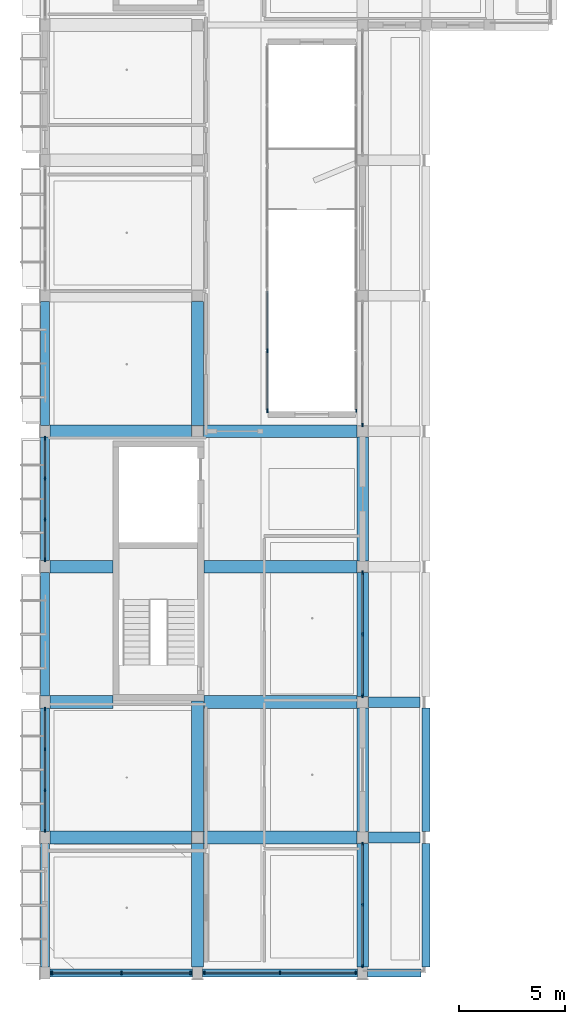
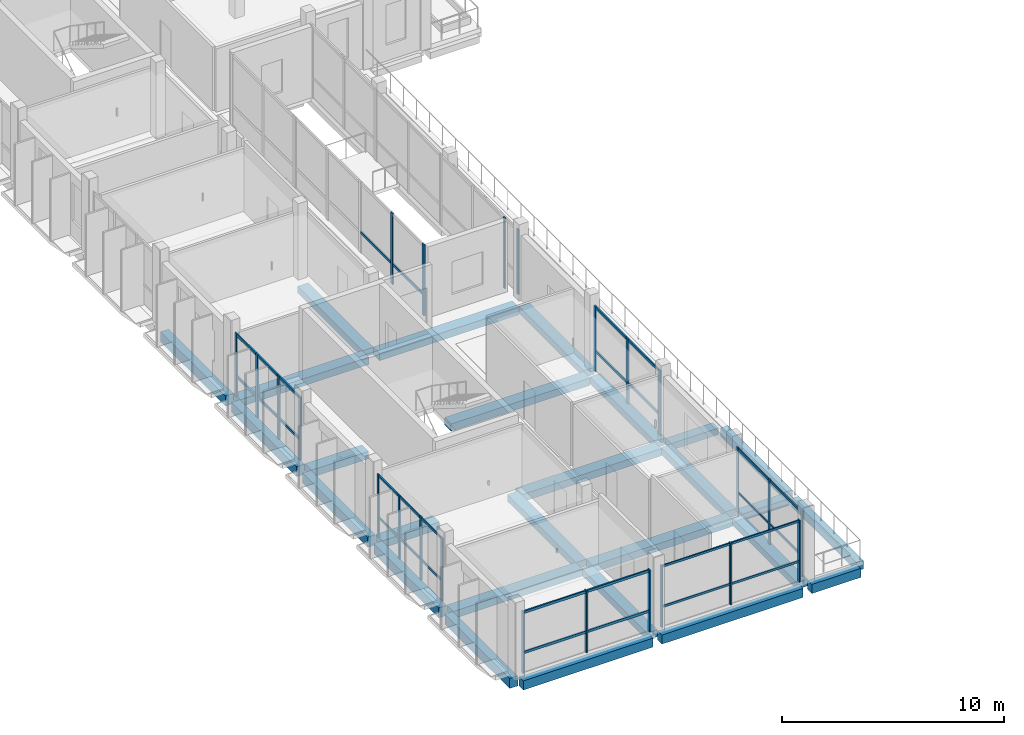
# One storey, part 7 of 85: 37 members, 27 beams, 9 elements without a shape of their own.
"""IFC4 building model written with IfcOpenShell, lengths in metres."""

from ifc_helpers import new_model, si_unit, derived_unit, direction, frame, origin, origin_2d, place, context, subcontext, project, spatial, rectangle, extrude, material, material_profile, profile_set, type_object, element, aggregate, save


model = new_model("IFC4")

# Units and contexts
model_context = context("Model", 3, precision=1e-05, world=origin(), true_north=direction((0.0, 1.0)))
body_context = subcontext(model_context, "Body", "Model", "MODEL_VIEW")
ifc_project = project(units=[si_unit("LENGTHUNIT", "METRE"), si_unit("AREAUNIT", "SQUARE_METRE"), si_unit("VOLUMEUNIT", "CUBIC_METRE"), si_unit("PLANEANGLEUNIT", "RADIAN"), si_unit("MASSUNIT", "GRAM", prefix="KILO"), derived_unit("THERMALTRANSMITTANCEUNIT", [(si_unit("POWERUNIT", "WATT"), 1), (si_unit("LENGTHUNIT", "METRE"), -2), (si_unit("THERMODYNAMICTEMPERATUREUNIT", "KELVIN"), -1)])], contexts=[model_context])

# Site, building, storey
site_placement = place(None, origin())
site = spatial("IfcSite", under=ifc_project, at=site_placement, CompositionType="ELEMENT")
building_placement = place(site_placement, origin())
building = spatial("IfcBuilding", under=site, at=building_placement, Name="Braskholm Square Health Centre", CompositionType="ELEMENT")
storey_placement = place(building_placement, frame((0.0, 0.0, 9.300048828125)))
storey = spatial("IfcBuildingStorey", under=building, at=storey_placement, Name="L03", CompositionType="ELEMENT", Elevation=9.300048828125)

# Curtain wall, members
ifc_material_1 = material(Name="Low-E triple insulating glass (VLT 0.64)", Category="glass")
curtain_wall_type_1 = type_object("IfcCurtainWallType", Name="UnitisedCurtainWall6200x3650", PredefinedType="NOTDEFINED", material=ifc_material_1)
curtain_wall_1_placement = place(storey_placement, origin())
curtain_wall_1 = element("IfcCurtainWall", 1, at=curtain_wall_1_placement, inside=storey, type_object=curtain_wall_type_1, Name="West Outer unitised curtain wall CW-L03-0014", PredefinedType="NOTDEFINED")
ifc_material_2 = material(Name="Architectural bronze anodised aluminium", Category="aluminium")
ifc_material_profile_1 = material_profile(ifc_material_2, rectangle(XDim=0.06494140625, YDim=0.14990234375, at=origin_2d()), Name="ALU-65X150")
ifc_profile_set_1 = profile_set([ifc_material_profile_1], Name="Architectural bronze anodised aluminium")
member_type_1 = type_object("IfcMemberType", Name="CurtainWallMullion65x150", PredefinedType="MULLION", material=ifc_profile_set_1)
member_1_placement = place(storey_placement, frame((4.199951171875, 16.675048828125, 0.0), z_axis=(0.0, 0.0, 1.0), x_axis=(1.0, 0.0, 0.0)))
member_1 = element("IfcMember", 2, at=member_1_placement, type_object=member_type_1, Name="CW-L03-0014 vertical mullion 1", PredefinedType="MULLION", context=body_context, shape_type="SweptSolid", body=[
    extrude(rectangle(XDim=0.06494140625, YDim=0.14990234375, at=origin_2d()), origin(), (0.0, 0.0, 1.0), 3.47998046875),
])
member_2_placement = place(storey_placement, frame((4.199951171875, 14.77001953125, 0.0), z_axis=(0.0, 0.0, 1.0), x_axis=(1.0, 0.0, 0.0)))
member_2 = element("IfcMember", 3, at=member_2_placement, type_object=member_type_1, Name="CW-L03-0014 vertical mullion 2", PredefinedType="MULLION", context=body_context, shape_type="SweptSolid", body=[
    extrude(rectangle(XDim=0.06494140625, YDim=0.14990234375, at=origin_2d()), origin(), (0.0, 0.0, 1.0), 3.47998046875),
])
member_3_placement = place(storey_placement, frame((4.199951171875, 12.830078125, 0.0), z_axis=(0.0, 0.0, 1.0), x_axis=(1.0, 0.0, 0.0)))
member_3 = element("IfcMember", 4, at=member_3_placement, type_object=member_type_1, Name="CW-L03-0014 vertical mullion 3", PredefinedType="MULLION", context=body_context, shape_type="SweptSolid", body=[
    extrude(rectangle(XDim=0.06494140625, YDim=0.14990234375, at=origin_2d()), origin(), (0.0, 0.0, 1.0), 3.47998046875),
])
member_4_placement = place(storey_placement, frame((4.199951171875, 10.9248046875, 0.0), z_axis=(0.0, 0.0, 1.0), x_axis=(1.0, 0.0, 0.0)))
member_4 = element("IfcMember", 5, at=member_4_placement, type_object=member_type_1, Name="CW-L03-0014 vertical mullion 4", PredefinedType="MULLION", context=body_context, shape_type="SweptSolid", body=[
    extrude(rectangle(XDim=0.06494140625, YDim=0.14990234375, at=origin_2d()), origin(), (0.0, 0.0, 1.0), 3.47998046875),
])

curtain_wall_2_placement = place(storey_placement, origin())
curtain_wall_2 = element("IfcCurtainWall", 6, at=curtain_wall_2_placement, inside=storey, type_object=curtain_wall_type_1, Name="West Valley unitised curtain wall CW-L03-0090", PredefinedType="NOTDEFINED")
member_5_placement = place(storey_placement, frame((19.199951171875, 4.525146484375, 0.0), z_axis=(0.0, 0.0, 1.0), x_axis=(1.0, 0.0, 0.0)))
member_5 = element("IfcMember", 7, at=member_5_placement, type_object=member_type_1, Name="CW-L03-0090 vertical mullion 1", PredefinedType="MULLION", context=body_context, shape_type="SweptSolid", body=[
    extrude(rectangle(XDim=0.06494140625, YDim=0.14990234375, at=origin_2d()), origin(), (0.0, 0.0, 1.0), 3.570068359375),
])
member_6_placement = place(storey_placement, frame((19.199951171875, 7.4150390625, 0.0), z_axis=(0.0, 0.0, 1.0), x_axis=(1.0, 0.0, 0.0)))
member_6 = element("IfcMember", 8, at=member_6_placement, type_object=member_type_1, Name="CW-L03-0090 vertical mullion 2", PredefinedType="MULLION", context=body_context, shape_type="SweptSolid", body=[
    extrude(rectangle(XDim=0.06494140625, YDim=0.14990234375, at=origin_2d()), origin(), (0.0, 0.0, 1.0), 3.570068359375),
])
member_7_placement = place(storey_placement, frame((19.199951171875, 10.304931640625, 0.0), z_axis=(0.0, 0.0, 1.0), x_axis=(1.0, 0.0, 0.0)))
member_7 = element("IfcMember", 9, at=member_7_placement, type_object=member_type_1, Name="CW-L03-0090 vertical mullion 3", PredefinedType="MULLION", context=body_context, shape_type="SweptSolid", body=[
    extrude(rectangle(XDim=0.06494140625, YDim=0.14990234375, at=origin_2d()), origin(), (0.0, 0.0, 1.0), 3.570068359375),
])

# Curtain wall, member
curtain_wall_3_placement = place(storey_placement, origin())
curtain_wall_3 = element("IfcCurtainWall", 10, at=curtain_wall_3_placement, inside=storey, type_object=curtain_wall_type_1, Name="West Valley unitised curtain wall CW-L03-0092", PredefinedType="NOTDEFINED")
member_8_placement = place(storey_placement, frame((19.199951171875, 30.09521484375, 0.0), z_axis=(0.0, 0.0, 1.0), x_axis=(1.0, 0.0, 0.0)))
member_8 = element("IfcMember", 11, at=member_8_placement, type_object=member_type_1, Name="CW-L03-0092 vertical mullion 1", PredefinedType="MULLION", context=body_context, shape_type="SweptSolid", body=[
    extrude(rectangle(XDim=0.06494140625, YDim=0.14990234375, at=origin_2d()), origin(), (0.0, 0.0, 1.0), 3.570068359375),
])
aggregate(curtain_wall_3, [member_8])

# Curtain wall, members
curtain_wall_4_placement = place(storey_placement, origin())
curtain_wall_4 = element("IfcCurtainWall", 12, at=curtain_wall_4_placement, inside=storey, type_object=curtain_wall_type_1, Name="Wing End unitised curtain wall CW-L03-0148", PredefinedType="NOTDEFINED")
member_9_placement = place(storey_placement, frame((11.723388671875, 4.199951171875, 0.0), z_axis=(0.0, 0.0, 1.0), x_axis=(1.0, 0.0, 0.0)))
member_9 = element("IfcMember", 13, at=member_9_placement, type_object=member_type_1, Name="CW-L03-0148 vertical mullion 1", PredefinedType="MULLION", context=body_context, shape_type="SweptSolid", body=[
    extrude(rectangle(XDim=0.06494140625, YDim=0.14990234375, at=origin_2d()), origin(), (0.0, 0.0, 1.0), 3.39990234375),
])
member_10_placement = place(storey_placement, frame((15.300048828125, 4.199951171875, 0.0), z_axis=(0.0, 0.0, 1.0), x_axis=(1.0, 0.0, 0.0)))
member_10 = element("IfcMember", 14, at=member_10_placement, type_object=member_type_1, Name="CW-L03-0148 vertical mullion 2", PredefinedType="MULLION", context=body_context, shape_type="SweptSolid", body=[
    extrude(rectangle(XDim=0.06494140625, YDim=0.14990234375, at=origin_2d()), origin(), (0.0, 0.0, 1.0), 3.39990234375),
])
member_11_placement = place(storey_placement, frame((18.876708984375, 4.199951171875, 0.0), z_axis=(0.0, 0.0, 1.0), x_axis=(1.0, 0.0, 0.0)))
member_11 = element("IfcMember", 15, at=member_11_placement, type_object=member_type_1, Name="CW-L03-0148 vertical mullion 3", PredefinedType="MULLION", context=body_context, shape_type="SweptSolid", body=[
    extrude(rectangle(XDim=0.06494140625, YDim=0.14990234375, at=origin_2d()), origin(), (0.0, 0.0, 1.0), 3.39990234375),
])

# Curtain wall, member
curtain_wall_type_2 = type_object("IfcCurtainWallType", Name="UnitisedCurtainWall5400x3800", PredefinedType="NOTDEFINED", material=ifc_material_1)
curtain_wall_5_placement = place(storey_placement, origin())
curtain_wall_5 = element("IfcCurtainWall", 16, at=curtain_wall_5_placement, inside=storey, type_object=curtain_wall_type_2, Name="WC1 Court E unitised curtain wall CW-L03-0262", PredefinedType="NOTDEFINED")
member_12_placement = place(storey_placement, frame((18.89990234375, 30.7744140625, 0.0), z_axis=(0.0, 0.0, 1.0), x_axis=(1.0, 0.0, 0.0)))
member_12 = element("IfcMember", 17, at=member_12_placement, type_object=member_type_1, Name="CW-L03-0262 vertical mullion 3", PredefinedType="MULLION", context=body_context, shape_type="SweptSolid", body=[
    extrude(rectangle(XDim=0.06494140625, YDim=0.14990234375, at=origin_2d()), origin(), (0.0, 0.0, 1.0), 3.89990234375),
])
aggregate(curtain_wall_5, [member_12])

# Curtain wall, members
curtain_wall_6_placement = place(storey_placement, origin())
curtain_wall_6 = element("IfcCurtainWall", 18, at=curtain_wall_6_placement, inside=storey, type_object=curtain_wall_type_1, Name="West Outer unitised curtain wall CW-L03-0015", PredefinedType="NOTDEFINED")
ifc_material_profile_2 = material_profile(ifc_material_2, rectangle(XDim=0.074951171875, YDim=0.179931640625, at=origin_2d()), Name="ALU-75X180")
ifc_profile_set_2 = profile_set([ifc_material_profile_2], Name="Architectural bronze anodised aluminium")
member_type_2 = type_object("IfcMemberType", Name="CurtainWallMullion75x180", PredefinedType="MULLION", material=ifc_profile_set_2)
member_13_placement = place(storey_placement, frame((4.199951171875, 29.47509765625, 0.0), z_axis=(0.0, 0.0, 1.0), x_axis=(1.0, 0.0, 0.0)))
member_13 = element("IfcMember", 19, at=member_13_placement, type_object=member_type_2, Name="CW-L03-0015 vertical mullion 1", PredefinedType="MULLION", context=body_context, shape_type="SweptSolid", body=[
    extrude(rectangle(XDim=0.074951171875, YDim=0.179931640625, at=origin_2d()), origin(), (0.0, 0.0, 1.0), 3.47998046875),
])
member_14_placement = place(storey_placement, frame((4.199951171875, 27.570068359375, 0.0), z_axis=(0.0, 0.0, 1.0), x_axis=(1.0, 0.0, 0.0)))
member_14 = element("IfcMember", 20, at=member_14_placement, type_object=member_type_2, Name="CW-L03-0015 vertical mullion 2", PredefinedType="MULLION", context=body_context, shape_type="SweptSolid", body=[
    extrude(rectangle(XDim=0.074951171875, YDim=0.179931640625, at=origin_2d()), origin(), (0.0, 0.0, 1.0), 3.47998046875),
])
member_15_placement = place(storey_placement, frame((4.199951171875, 25.6298828125, 0.0), z_axis=(0.0, 0.0, 1.0), x_axis=(1.0, 0.0, 0.0)))
member_15 = element("IfcMember", 21, at=member_15_placement, type_object=member_type_2, Name="CW-L03-0015 vertical mullion 3", PredefinedType="MULLION", context=body_context, shape_type="SweptSolid", body=[
    extrude(rectangle(XDim=0.074951171875, YDim=0.179931640625, at=origin_2d()), origin(), (0.0, 0.0, 1.0), 3.47998046875),
])
member_16_placement = place(storey_placement, frame((4.199951171875, 23.724853515625, 0.0), z_axis=(0.0, 0.0, 1.0), x_axis=(1.0, 0.0, 0.0)))
member_16 = element("IfcMember", 22, at=member_16_placement, type_object=member_type_2, Name="CW-L03-0015 vertical mullion 4", PredefinedType="MULLION", context=body_context, shape_type="SweptSolid", body=[
    extrude(rectangle(XDim=0.074951171875, YDim=0.179931640625, at=origin_2d()), origin(), (0.0, 0.0, 1.0), 3.47998046875),
])

curtain_wall_7_placement = place(storey_placement, origin())
curtain_wall_7 = element("IfcCurtainWall", 23, at=curtain_wall_7_placement, inside=storey, type_object=curtain_wall_type_1, Name="West Valley unitised curtain wall CW-L03-0091", PredefinedType="NOTDEFINED")
member_17_placement = place(storey_placement, frame((19.199951171875, 17.29541015625, 0.0), z_axis=(0.0, 0.0, 1.0), x_axis=(1.0, 0.0, 0.0)))
member_17 = element("IfcMember", 24, at=member_17_placement, type_object=member_type_2, Name="CW-L03-0091 vertical mullion 1", PredefinedType="MULLION", context=body_context, shape_type="SweptSolid", body=[
    extrude(rectangle(XDim=0.074951171875, YDim=0.179931640625, at=origin_2d()), origin(), (0.0, 0.0, 1.0), 3.570068359375),
])
member_18_placement = place(storey_placement, frame((19.199951171875, 20.199951171875, 0.0), z_axis=(0.0, 0.0, 1.0), x_axis=(1.0, 0.0, 0.0)))
member_18 = element("IfcMember", 25, at=member_18_placement, type_object=member_type_2, Name="CW-L03-0091 vertical mullion 2", PredefinedType="MULLION", context=body_context, shape_type="SweptSolid", body=[
    extrude(rectangle(XDim=0.074951171875, YDim=0.179931640625, at=origin_2d()), origin(), (0.0, 0.0, 1.0), 3.570068359375),
])
member_19_placement = place(storey_placement, frame((19.199951171875, 23.104736328125, 0.0), z_axis=(0.0, 0.0, 1.0), x_axis=(1.0, 0.0, 0.0)))
member_19 = element("IfcMember", 26, at=member_19_placement, type_object=member_type_2, Name="CW-L03-0091 vertical mullion 3", PredefinedType="MULLION", context=body_context, shape_type="SweptSolid", body=[
    extrude(rectangle(XDim=0.074951171875, YDim=0.179931640625, at=origin_2d()), origin(), (0.0, 0.0, 1.0), 3.570068359375),
])

curtain_wall_8_placement = place(storey_placement, origin())
curtain_wall_8 = element("IfcCurtainWall", 27, at=curtain_wall_8_placement, inside=storey, type_object=curtain_wall_type_1, Name="Wing End unitised curtain wall CW-L03-0147", PredefinedType="NOTDEFINED")
member_20_placement = place(storey_placement, frame((4.519775390625, 4.199951171875, 0.0), z_axis=(0.0, 0.0, 1.0), x_axis=(1.0, 0.0, 0.0)))
member_20 = element("IfcMember", 28, at=member_20_placement, type_object=member_type_2, Name="CW-L03-0147 vertical mullion 1", PredefinedType="MULLION", context=body_context, shape_type="SweptSolid", body=[
    extrude(rectangle(XDim=0.074951171875, YDim=0.179931640625, at=origin_2d()), origin(), (0.0, 0.0, 1.0), 3.39990234375),
])
member_21_placement = place(storey_placement, frame((7.800048828125, 4.199951171875, 0.0), z_axis=(0.0, 0.0, 1.0), x_axis=(1.0, 0.0, 0.0)))
member_21 = element("IfcMember", 29, at=member_21_placement, type_object=member_type_2, Name="CW-L03-0147 vertical mullion 2", PredefinedType="MULLION", context=body_context, shape_type="SweptSolid", body=[
    extrude(rectangle(XDim=0.074951171875, YDim=0.179931640625, at=origin_2d()), origin(), (0.0, 0.0, 1.0), 3.39990234375),
])
member_22_placement = place(storey_placement, frame((11.080078125, 4.199951171875, 0.0), z_axis=(0.0, 0.0, 1.0), x_axis=(1.0, 0.0, 0.0)))
member_22 = element("IfcMember", 30, at=member_22_placement, type_object=member_type_2, Name="CW-L03-0147 vertical mullion 3", PredefinedType="MULLION", context=body_context, shape_type="SweptSolid", body=[
    extrude(rectangle(XDim=0.074951171875, YDim=0.179931640625, at=origin_2d()), origin(), (0.0, 0.0, 1.0), 3.39990234375),
])

curtain_wall_9_placement = place(storey_placement, origin())
curtain_wall_9 = element("IfcCurtainWall", 31, at=curtain_wall_9_placement, inside=storey, type_object=curtain_wall_type_2, Name="WC1 Court W unitised curtain wall CW-L03-0261", PredefinedType="NOTDEFINED")
member_23_placement = place(storey_placement, frame((14.699951171875, 30.7744140625, 0.0), z_axis=(0.0, 0.0, 1.0), x_axis=(1.0, 0.0, 0.0)))
member_23 = element("IfcMember", 32, at=member_23_placement, type_object=member_type_2, Name="CW-L03-0261 vertical mullion 1", PredefinedType="MULLION", context=body_context, shape_type="SweptSolid", body=[
    extrude(rectangle(XDim=0.074951171875, YDim=0.179931640625, at=origin_2d()), origin(), (0.0, 0.0, 1.0), 3.89990234375),
])
member_24_placement = place(storey_placement, frame((14.699951171875, 33.60107421875, 0.0), z_axis=(0.0, 0.0, 1.0), x_axis=(1.0, 0.0, 0.0)))
member_24 = element("IfcMember", 33, at=member_24_placement, type_object=member_type_2, Name="CW-L03-0261 vertical mullion 2", PredefinedType="MULLION", context=body_context, shape_type="SweptSolid", body=[
    extrude(rectangle(XDim=0.074951171875, YDim=0.179931640625, at=origin_2d()), origin(), (0.0, 0.0, 1.0), 3.89990234375),
])

# Member
ifc_material_profile_3 = material_profile(ifc_material_2, rectangle(XDim=0.06494140625, YDim=0.1201171875, at=origin_2d()), Name="ALU-65X120")
ifc_profile_set_3 = profile_set([ifc_material_profile_3], Name="Architectural bronze anodised aluminium")
member_type_3 = type_object("IfcMemberType", Name="CurtainWallTransom65x120", PredefinedType="USERDEFINED", material=ifc_profile_set_3)
member_25_placement = place(storey_placement, frame((4.199951171875, 16.6650390625, 1.119873046875), z_axis=(0.0, -1.0, 0.0), x_axis=(1.0, 0.0, 0.0)))
member_25 = element("IfcMember", 34, at=member_25_placement, type_object=member_type_3, Name="CW-L03-0014 horizontal transom 1", ObjectType="TRANSOM", PredefinedType="USERDEFINED", context=body_context, shape_type="SweptSolid", body=[
    extrude(rectangle(XDim=0.06494140625, YDim=0.1201171875, at=origin_2d()), origin(), (0.0, 0.0, 1.0), 5.72998046875),
])

member_26_placement = place(storey_placement, frame((4.199951171875, 16.6650390625, 3.409912109375), z_axis=(0.0, -1.0, 0.0), x_axis=(1.0, 0.0, 0.0)))
member_26 = element("IfcMember", 35, at=member_26_placement, type_object=member_type_3, Name="CW-L03-0014 horizontal transom 2", ObjectType="TRANSOM", PredefinedType="USERDEFINED", context=body_context, shape_type="SweptSolid", body=[
    extrude(rectangle(XDim=0.06494140625, YDim=0.1201171875, at=origin_2d()), origin(), (0.0, 0.0, 1.0), 5.72998046875),
])

aggregate(curtain_wall_1, [member_1, member_2, member_3, member_4, member_25, member_26])

member_27_placement = place(storey_placement, frame((19.199951171875, 4.534912109375, 1.119873046875), z_axis=(0.0, 1.0, 0.0), x_axis=(-1.0, 0.0, 0.0)))
member_27 = element("IfcMember", 36, at=member_27_placement, type_object=member_type_3, Name="CW-L03-0090 horizontal transom 1", ObjectType="TRANSOM", PredefinedType="USERDEFINED", context=body_context, shape_type="SweptSolid", body=[
    extrude(rectangle(XDim=0.06494140625, YDim=0.1201171875, at=origin_2d()), origin(), (0.0, 0.0, 1.0), 5.760009765625),
])

member_28_placement = place(storey_placement, frame((19.199951171875, 4.534912109375, 3.5), z_axis=(0.0, 1.0, 0.0), x_axis=(-1.0, 0.0, 0.0)))
member_28 = element("IfcMember", 37, at=member_28_placement, type_object=member_type_3, Name="CW-L03-0090 horizontal transom 2", ObjectType="TRANSOM", PredefinedType="USERDEFINED", context=body_context, shape_type="SweptSolid", body=[
    extrude(rectangle(XDim=0.06494140625, YDim=0.1201171875, at=origin_2d()), origin(), (0.0, 0.0, 1.0), 5.760009765625),
])

aggregate(curtain_wall_2, [member_5, member_6, member_7, member_27, member_28])

member_29_placement = place(storey_placement, frame((11.72509765625, 4.199951171875, 1.119873046875), z_axis=(1.0, 0.0, 0.0), x_axis=(0.0, 1.0, 0.0)))
member_29 = element("IfcMember", 38, at=member_29_placement, type_object=member_type_3, Name="CW-L03-0148 horizontal transom 1", ObjectType="TRANSOM", PredefinedType="USERDEFINED", context=body_context, shape_type="SweptSolid", body=[
    extrude(rectangle(XDim=0.06494140625, YDim=0.1201171875, at=origin_2d()), origin(), (0.0, 0.0, 1.0), 7.14990234375),
])

member_30_placement = place(storey_placement, frame((11.72509765625, 4.199951171875, 3.329833984375), z_axis=(1.0, 0.0, 0.0), x_axis=(0.0, 1.0, 0.0)))
member_30 = element("IfcMember", 39, at=member_30_placement, type_object=member_type_3, Name="CW-L03-0148 horizontal transom 2", ObjectType="TRANSOM", PredefinedType="USERDEFINED", context=body_context, shape_type="SweptSolid", body=[
    extrude(rectangle(XDim=0.06494140625, YDim=0.1201171875, at=origin_2d()), origin(), (0.0, 0.0, 1.0), 7.14990234375),
])

aggregate(curtain_wall_4, [member_9, member_10, member_11, member_29, member_30])

ifc_material_profile_4 = material_profile(ifc_material_2, rectangle(XDim=0.074951171875, YDim=0.139892578125, at=origin_2d()), Name="ALU-75X140")
ifc_profile_set_4 = profile_set([ifc_material_profile_4], Name="Architectural bronze anodised aluminium")
member_type_4 = type_object("IfcMemberType", Name="CurtainWallTransom75x140", PredefinedType="USERDEFINED", material=ifc_profile_set_4)
member_31_placement = place(storey_placement, frame((4.199951171875, 29.465087890625, 1.119873046875), z_axis=(0.0, -1.0, 0.0), x_axis=(1.0, 0.0, 0.0)))
member_31 = element("IfcMember", 40, at=member_31_placement, type_object=member_type_4, Name="CW-L03-0015 horizontal transom 1", ObjectType="TRANSOM", PredefinedType="USERDEFINED", context=body_context, shape_type="SweptSolid", body=[
    extrude(rectangle(XDim=0.074951171875, YDim=0.139892578125, at=origin_2d()), origin(), (0.0, 0.0, 1.0), 5.72998046875),
])

member_32_placement = place(storey_placement, frame((4.199951171875, 29.465087890625, 3.409912109375), z_axis=(0.0, -1.0, 0.0), x_axis=(1.0, 0.0, 0.0)))
member_32 = element("IfcMember", 41, at=member_32_placement, type_object=member_type_4, Name="CW-L03-0015 horizontal transom 2", ObjectType="TRANSOM", PredefinedType="USERDEFINED", context=body_context, shape_type="SweptSolid", body=[
    extrude(rectangle(XDim=0.074951171875, YDim=0.139892578125, at=origin_2d()), origin(), (0.0, 0.0, 1.0), 5.72998046875),
])

aggregate(curtain_wall_6, [member_13, member_14, member_15, member_16, member_31, member_32])

member_33_placement = place(storey_placement, frame((19.199951171875, 17.304931640625, 1.119873046875), z_axis=(0.0, 1.0, 0.0), x_axis=(-1.0, 0.0, 0.0)))
member_33 = element("IfcMember", 42, at=member_33_placement, type_object=member_type_4, Name="CW-L03-0091 horizontal transom 1", ObjectType="TRANSOM", PredefinedType="USERDEFINED", context=body_context, shape_type="SweptSolid", body=[
    extrude(rectangle(XDim=0.074951171875, YDim=0.139892578125, at=origin_2d()), origin(), (0.0, 0.0, 1.0), 5.7900390625),
])

member_34_placement = place(storey_placement, frame((19.199951171875, 17.304931640625, 3.5), z_axis=(0.0, 1.0, 0.0), x_axis=(-1.0, 0.0, 0.0)))
member_34 = element("IfcMember", 43, at=member_34_placement, type_object=member_type_4, Name="CW-L03-0091 horizontal transom 2", ObjectType="TRANSOM", PredefinedType="USERDEFINED", context=body_context, shape_type="SweptSolid", body=[
    extrude(rectangle(XDim=0.074951171875, YDim=0.139892578125, at=origin_2d()), origin(), (0.0, 0.0, 1.0), 5.7900390625),
])

aggregate(curtain_wall_7, [member_17, member_18, member_19, member_33, member_34])

member_35_placement = place(storey_placement, frame((4.52490234375, 4.199951171875, 1.119873046875), z_axis=(1.0, 0.0, 0.0), x_axis=(0.0, 1.0, 0.0)))
member_35 = element("IfcMember", 44, at=member_35_placement, type_object=member_type_4, Name="CW-L03-0147 horizontal transom 1", ObjectType="TRANSOM", PredefinedType="USERDEFINED", context=body_context, shape_type="SweptSolid", body=[
    extrude(rectangle(XDim=0.074951171875, YDim=0.139892578125, at=origin_2d()), origin(), (0.0, 0.0, 1.0), 6.550048828125),
])

member_36_placement = place(storey_placement, frame((4.52490234375, 4.199951171875, 3.329833984375), z_axis=(1.0, 0.0, 0.0), x_axis=(0.0, 1.0, 0.0)))
member_36 = element("IfcMember", 45, at=member_36_placement, type_object=member_type_4, Name="CW-L03-0147 horizontal transom 2", ObjectType="TRANSOM", PredefinedType="USERDEFINED", context=body_context, shape_type="SweptSolid", body=[
    extrude(rectangle(XDim=0.074951171875, YDim=0.139892578125, at=origin_2d()), origin(), (0.0, 0.0, 1.0), 6.550048828125),
])

aggregate(curtain_wall_8, [member_20, member_21, member_22, member_35, member_36])

member_37_placement = place(storey_placement, frame((14.699951171875, 30.784912109375, 1.119873046875), z_axis=(0.0, 1.0, 0.0), x_axis=(-1.0, 0.0, 0.0)))
member_37 = element("IfcMember", 46, at=member_37_placement, type_object=member_type_4, Name="CW-L03-0261 horizontal transom 1", ObjectType="TRANSOM", PredefinedType="USERDEFINED", context=body_context, shape_type="SweptSolid", body=[
    extrude(rectangle(XDim=0.074951171875, YDim=0.139892578125, at=origin_2d()), origin(), (0.0, 0.0, 1.0), 5.632080078125),
])

aggregate(curtain_wall_9, [member_23, member_24, member_37])

# Beams
ifc_material_3 = material(Name="Concrete C35/45 (f'c = 35 MPa)", Category="concrete")
ifc_material_profile_5 = material_profile(ifc_material_3, rectangle(XDim=0.5, YDim=0.360107421875, at=origin_2d()), Name="RCB-500X360")
ifc_profile_set_5 = profile_set([ifc_material_profile_5], Name="Concrete C35/45 (f'c = 35 MPa)")
beam_type_1 = type_object("IfcBeamType", Name="PrimaryBandBeam500x360", PredefinedType="BEAM", material=ifc_profile_set_5)
for number, where, z_axis, x_axis, name in (
    (47, (19.47509765625, 10.60009765625, -0.429931640625), (1.0, 0.0, 0.0), (0.0, 1.0, 0.0), "Beam 3-4/B L03"),
    (48, (19.47509765625, 17.0, -0.429931640625), (1.0, 0.0, 0.0), (0.0, 1.0, 0.0), "Beam 3-4/C L03"),
):
    element("IfcBeam", number, at=place(storey_placement, frame(where, z_axis=z_axis, x_axis=x_axis)), inside=storey, type_object=beam_type_1, Name=name, PredefinedType="BEAM", context=body_context, shape_type="SweptSolid", body=[
        extrude(rectangle(XDim=0.5, YDim=0.360107421875, at=origin_2d()), origin(), (0.0, 0.0, 1.0), 2.449951171875),
    ])
ifc_material_profile_6 = material_profile(ifc_material_3, rectangle(XDim=0.550048828125, YDim=0.3798828125, at=origin_2d()), Name="RCB-550X380")
ifc_profile_set_6 = profile_set([ifc_material_profile_6], Name="Concrete C35/45 (f'c = 35 MPa)")
beam_type_2 = type_object("IfcBeamType", Name="PrimaryBandBeam550x380", PredefinedType="BEAM", material=ifc_profile_set_6)
beam_1_placement = place(storey_placement, frame((11.39990234375, 4.47998046875, -0.489990234375), z_axis=(0.0, 1.0, 0.0), x_axis=(-1.0, 0.0, 0.0)))
element("IfcBeam", 49, at=beam_1_placement, inside=storey, type_object=beam_type_2, Name="Beam 2/A-B L03", PredefinedType="BEAM", context=body_context, shape_type="SweptSolid", body=[
    extrude(rectangle(XDim=0.550048828125, YDim=0.3798828125, at=origin_2d()), origin(), (0.0, 0.0, 1.0), 5.844970703125),
])
beam_2_placement = place(storey_placement, frame((11.39990234375, 10.875, -0.489990234375), z_axis=(0.0, 1.0, 0.0), x_axis=(-1.0, 0.0, 0.0)))
element("IfcBeam", 50, at=beam_2_placement, inside=storey, type_object=beam_type_2, Name="Beam 2/B-E L03", PredefinedType="BEAM", context=body_context, shape_type="SweptSolid", body=[
    extrude(rectangle(XDim=0.550048828125, YDim=0.3798828125, at=origin_2d()), origin(), (0.0, 0.0, 1.0), 6.175048828125),
])
beam_3_placement = place(storey_placement, frame((11.39990234375, 30.074951171875, -0.489990234375), z_axis=(0.0, 1.0, 0.0), x_axis=(-1.0, 0.0, 0.0)))
element("IfcBeam", 51, at=beam_3_placement, inside=storey, type_object=beam_type_2, Name="Beam 2/E-F L03", PredefinedType="BEAM", context=body_context, shape_type="SweptSolid", body=[
    extrude(rectangle(XDim=0.550048828125, YDim=0.3798828125, at=origin_2d()), origin(), (0.0, 0.0, 1.0), 5.85009765625),
])
beam_4_placement = place(storey_placement, frame((19.199951171875, 4.47998046875, -0.43994140625), z_axis=(0.0, 1.0, 0.0), x_axis=(-1.0, 0.0, 0.0)))
element("IfcBeam", 52, at=beam_4_placement, inside=storey, type_object=beam_type_2, Name="Beam 3/A-B L03", PredefinedType="BEAM", context=body_context, shape_type="SweptSolid", body=[
    extrude(rectangle(XDim=0.550048828125, YDim=0.3798828125, at=origin_2d()), origin(), (0.0, 0.0, 1.0), 5.844970703125),
])
for number, where, z_axis, x_axis, name in (
    (53, (19.199951171875, 10.875, -0.43994140625), (0.0, 1.0, 0.0), (-1.0, 0.0, 0.0), "Beam 3/B-C L03"),
    (54, (19.199951171875, 17.27490234375, -0.43994140625), (0.0, 1.0, 0.0), (-1.0, 0.0, 0.0), "Beam 3/C-D L03"),
):
    element("IfcBeam", number, at=place(storey_placement, frame(where, z_axis=z_axis, x_axis=x_axis)), inside=storey, type_object=beam_type_2, Name=name, PredefinedType="BEAM", context=body_context, shape_type="SweptSolid", body=[
        extrude(rectangle(XDim=0.550048828125, YDim=0.3798828125, at=origin_2d()), origin(), (0.0, 0.0, 1.0), 5.85009765625),
    ])
beam_5_placement = place(storey_placement, frame((19.199951171875, 23.675048828125, -0.43994140625), z_axis=(0.0, 1.0, 0.0), x_axis=(-1.0, 0.0, 0.0)))
element("IfcBeam", 55, at=beam_5_placement, inside=storey, type_object=beam_type_2, Name="Beam 3/D-E L03", PredefinedType="BEAM", context=body_context, shape_type="SweptSolid", body=[
    extrude(rectangle(XDim=0.550048828125, YDim=0.3798828125, at=origin_2d()), origin(), (0.0, 0.0, 1.0), 5.849853515625),
])
ifc_material_profile_7 = material_profile(ifc_material_3, rectangle(XDim=0.60009765625, YDim=0.39990234375, at=origin_2d()), Name="RCB-600X400")
ifc_profile_set_7 = profile_set([ifc_material_profile_7], Name="Concrete C35/45 (f'c = 35 MPa)")
beam_type_3 = type_object("IfcBeamType", Name="PrimaryBandBeam600x400", PredefinedType="BEAM", material=ifc_profile_set_7)
beam_6_placement = place(storey_placement, frame((4.429931640625, 10.60009765625, -0.5), z_axis=(1.0, 0.0, 0.0), x_axis=(0.0, 1.0, 0.0)))
element("IfcBeam", 56, at=beam_6_placement, inside=storey, type_object=beam_type_3, Name="Beam 1-2/B L03", PredefinedType="BEAM", context=body_context, shape_type="SweptSolid", body=[
    extrude(rectangle(XDim=0.60009765625, YDim=0.39990234375, at=origin_2d()), origin(), (0.0, 0.0, 1.0), 6.695068359375),
])
beam_7_placement = place(storey_placement, frame((11.675048828125, 10.60009765625, -0.5), z_axis=(1.0, 0.0, 0.0), x_axis=(0.0, 1.0, 0.0)))
element("IfcBeam", 57, at=beam_7_placement, inside=storey, type_object=beam_type_3, Name="Beam 2-3/B L03", PredefinedType="BEAM", context=body_context, shape_type="SweptSolid", body=[
    extrude(rectangle(XDim=0.60009765625, YDim=0.39990234375, at=origin_2d()), origin(), (0.0, 0.0, 1.0), 7.25),
])
beam_8_placement = place(storey_placement, frame((4.429931640625, 17.0, -0.5), z_axis=(1.0, 0.0, 0.0), x_axis=(0.0, 1.0, 0.0)))
element("IfcBeam", 58, at=beam_8_placement, inside=storey, type_object=beam_type_3, Name="Beam 1-3/C L03", PredefinedType="BEAM", context=body_context, shape_type="SweptSolid", body=[
    extrude(rectangle(XDim=0.60009765625, YDim=0.39990234375, at=origin_2d()), origin(), (0.0, 0.0, 1.0), 2.969970703125),
])
beam_9_placement = place(storey_placement, frame((11.699951171875, 17.0, -0.5), z_axis=(1.0, 0.0, 0.0), x_axis=(0.0, 1.0, 0.0)))
element("IfcBeam", 59, at=beam_9_placement, inside=storey, type_object=beam_type_3, Name="Beam 1-3/C L03", PredefinedType="BEAM", context=body_context, shape_type="SweptSolid", body=[
    extrude(rectangle(XDim=0.60009765625, YDim=0.39990234375, at=origin_2d()), origin(), (0.0, 0.0, 1.0), 7.22509765625),
])
beam_10_placement = place(storey_placement, frame((4.429931640625, 23.39990234375, -0.5), z_axis=(1.0, 0.0, 0.0), x_axis=(0.0, 1.0, 0.0)))
element("IfcBeam", 60, at=beam_10_placement, inside=storey, type_object=beam_type_3, Name="Beam 1-3/D L03", PredefinedType="BEAM", context=body_context, shape_type="SweptSolid", body=[
    extrude(rectangle(XDim=0.60009765625, YDim=0.39990234375, at=origin_2d()), origin(), (0.0, 0.0, 1.0), 2.969970703125),
])
beam_11_placement = place(storey_placement, frame((11.699951171875, 23.39990234375, -0.5), z_axis=(1.0, 0.0, 0.0), x_axis=(0.0, 1.0, 0.0)))
element("IfcBeam", 61, at=beam_11_placement, inside=storey, type_object=beam_type_3, Name="Beam 1-3/D L03", PredefinedType="BEAM", context=body_context, shape_type="SweptSolid", body=[
    extrude(rectangle(XDim=0.60009765625, YDim=0.39990234375, at=origin_2d()), origin(), (0.0, 0.0, 1.0), 7.22509765625),
])
beam_12_placement = place(storey_placement, frame((4.429931640625, 29.800048828125, -0.5), z_axis=(1.0, 0.0, 0.0), x_axis=(0.0, 1.0, 0.0)))
element("IfcBeam", 62, at=beam_12_placement, inside=storey, type_object=beam_type_3, Name="Beam 1-2/E L03", PredefinedType="BEAM", context=body_context, shape_type="SweptSolid", body=[
    extrude(rectangle(XDim=0.60009765625, YDim=0.39990234375, at=origin_2d()), origin(), (0.0, 0.0, 1.0), 6.695068359375),
])
beam_13_placement = place(storey_placement, frame((11.675048828125, 29.800048828125, -0.5), z_axis=(1.0, 0.0, 0.0), x_axis=(0.0, 1.0, 0.0)))
element("IfcBeam", 63, at=beam_13_placement, inside=storey, type_object=beam_type_3, Name="Beam 2-3/E L03", PredefinedType="BEAM", context=body_context, shape_type="SweptSolid", body=[
    extrude(rectangle(XDim=0.60009765625, YDim=0.39990234375, at=origin_2d()), origin(), (0.0, 0.0, 1.0), 7.25),
])
ifc_material_4 = material(Name="Precast concrete C40/50 architectural white", Category="concrete")
ifc_material_profile_8 = material_profile(ifc_material_4, rectangle(XDim=0.3798828125, YDim=0.5, at=origin_2d()), Name="RCB-380X500")
ifc_profile_set_8 = profile_set([ifc_material_profile_8], Name="Precast concrete C40/50 architectural white")
beam_type_4 = type_object("IfcBeamType", Name="SpandrelPrecastEdge380x500", PredefinedType="SPANDREL", material=ifc_profile_set_8)
beam_14_placement = place(storey_placement, frame((4.429931640625, 4.199951171875, -0.550048828125), z_axis=(1.0, 0.0, 0.0), x_axis=(0.0, 1.0, 0.0)))
element("IfcBeam", 64, at=beam_14_placement, inside=storey, type_object=beam_type_4, Name="Beam 1-2/A L03", PredefinedType="SPANDREL", context=body_context, shape_type="SweptSolid", body=[
    extrude(rectangle(XDim=0.3798828125, YDim=0.5, at=origin_2d()), origin(), (0.0, 0.0, 1.0), 6.739990234375),
])
beam_15_placement = place(storey_placement, frame((11.6298828125, 4.199951171875, -0.550048828125), z_axis=(1.0, 0.0, 0.0), x_axis=(0.0, 1.0, 0.0)))
element("IfcBeam", 65, at=beam_15_placement, inside=storey, type_object=beam_type_4, Name="Beam 2-3/A L03", PredefinedType="SPANDREL", context=body_context, shape_type="SweptSolid", body=[
    extrude(rectangle(XDim=0.3798828125, YDim=0.5, at=origin_2d()), origin(), (0.0, 0.0, 1.0), 7.340087890625),
])
beam_16_placement = place(storey_placement, frame((19.429931640625, 4.199951171875, -0.5), z_axis=(1.0, 0.0, 0.0), x_axis=(0.0, 1.0, 0.0)))
element("IfcBeam", 66, at=beam_16_placement, inside=storey, type_object=beam_type_4, Name="Beam 3-4/A L03", PredefinedType="SPANDREL", context=body_context, shape_type="SweptSolid", body=[
    extrude(rectangle(XDim=0.3798828125, YDim=0.5, at=origin_2d()), origin(), (0.0, 0.0, 1.0), 2.5400390625),
])
ifc_material_profile_9 = material_profile(ifc_material_4, rectangle(XDim=0.419921875, YDim=0.550048828125, at=origin_2d()), Name="RCB-420X550")
ifc_profile_set_9 = profile_set([ifc_material_profile_9], Name="Precast concrete C40/50 architectural white")
beam_type_5 = type_object("IfcBeamType", Name="SpandrelPrecastLedge420x550", PredefinedType="SPANDREL", material=ifc_profile_set_9)
for number, where, z_axis, x_axis, name in (
    (67, (4.199951171875, 4.47998046875, -0.574951171875), (0.0, 1.0, 0.0), (-1.0, 0.0, 0.0), "Beam 1/A-B L03"),
    (68, (4.199951171875, 10.8798828125, -0.574951171875), (0.0, 1.0, 0.0), (-1.0, 0.0, 0.0), "Beam 1/B-C L03"),
    (69, (4.199951171875, 17.280029296875, -0.574951171875), (0.0, 1.0, 0.0), (-1.0, 0.0, 0.0), "Beam 1/C-D L03"),
    (70, (4.199951171875, 23.679931640625, -0.574951171875), (0.0, 1.0, 0.0), (-1.0, 0.0, 0.0), "Beam 1/D-E L03"),
):
    element("IfcBeam", number, at=place(storey_placement, frame(where, z_axis=z_axis, x_axis=x_axis)), inside=storey, type_object=beam_type_5, Name=name, PredefinedType="SPANDREL", context=body_context, shape_type="SweptSolid", body=[
        extrude(rectangle(XDim=0.419921875, YDim=0.550048828125, at=origin_2d()), origin(), (0.0, 0.0, 1.0), 5.840087890625),
    ])
beam_17_placement = place(storey_placement, frame((4.199951171875, 30.080078125, -0.574951171875), z_axis=(0.0, 1.0, 0.0), x_axis=(-1.0, 0.0, 0.0)))
element("IfcBeam", 71, at=beam_17_placement, inside=storey, type_object=beam_type_5, Name="Beam 1/E-F L03", PredefinedType="SPANDREL", context=body_context, shape_type="SweptSolid", body=[
    extrude(rectangle(XDim=0.419921875, YDim=0.550048828125, at=origin_2d()), origin(), (0.0, 0.0, 1.0), 5.83984375),
])
ifc_material_profile_10 = material_profile(ifc_material_4, rectangle(XDim=0.360107421875, YDim=0.4599609375, at=origin_2d()), Name="RCB-360X460")
ifc_profile_set_10 = profile_set([ifc_material_profile_10], Name="Precast concrete C40/50 architectural white")
beam_type_6 = type_object("IfcBeamType", Name="SpandrelTerraceEdge360x460", PredefinedType="SPANDREL", material=ifc_profile_set_10)
beam_18_placement = place(storey_placement, frame((22.199951171875, 4.47998046875, -0.47998046875), z_axis=(0.0, 1.0, 0.0), x_axis=(-1.0, 0.0, 0.0)))
element("IfcBeam", 72, at=beam_18_placement, inside=storey, type_object=beam_type_6, Name="Beam 4/A-B L03", PredefinedType="SPANDREL", context=body_context, shape_type="SweptSolid", body=[
    extrude(rectangle(XDim=0.360107421875, YDim=0.4599609375, at=origin_2d()), origin(), (0.0, 0.0, 1.0), 5.844970703125),
])
beam_19_placement = place(storey_placement, frame((22.199951171875, 10.875, -0.47998046875), z_axis=(0.0, 1.0, 0.0), x_axis=(-1.0, 0.0, 0.0)))
element("IfcBeam", 73, at=beam_19_placement, inside=storey, type_object=beam_type_6, Name="Beam 4/B-C L03", PredefinedType="SPANDREL", context=body_context, shape_type="SweptSolid", body=[
    extrude(rectangle(XDim=0.360107421875, YDim=0.4599609375, at=origin_2d()), origin(), (0.0, 0.0, 1.0), 5.85009765625),
])

save(model, "model.ifc")
